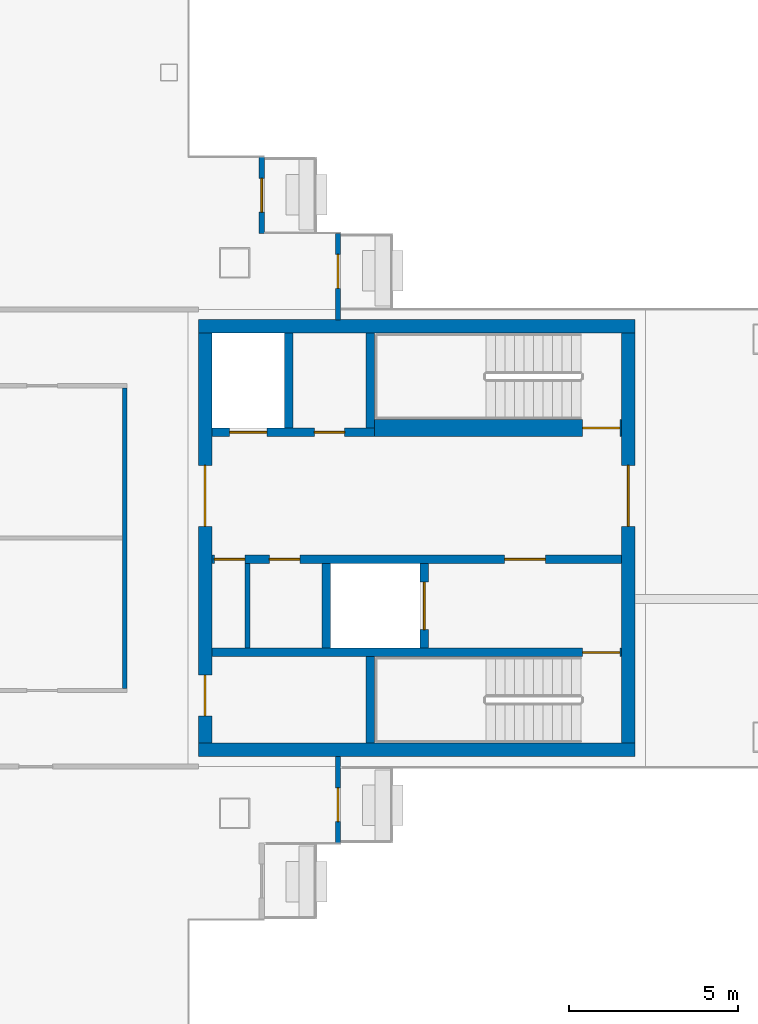
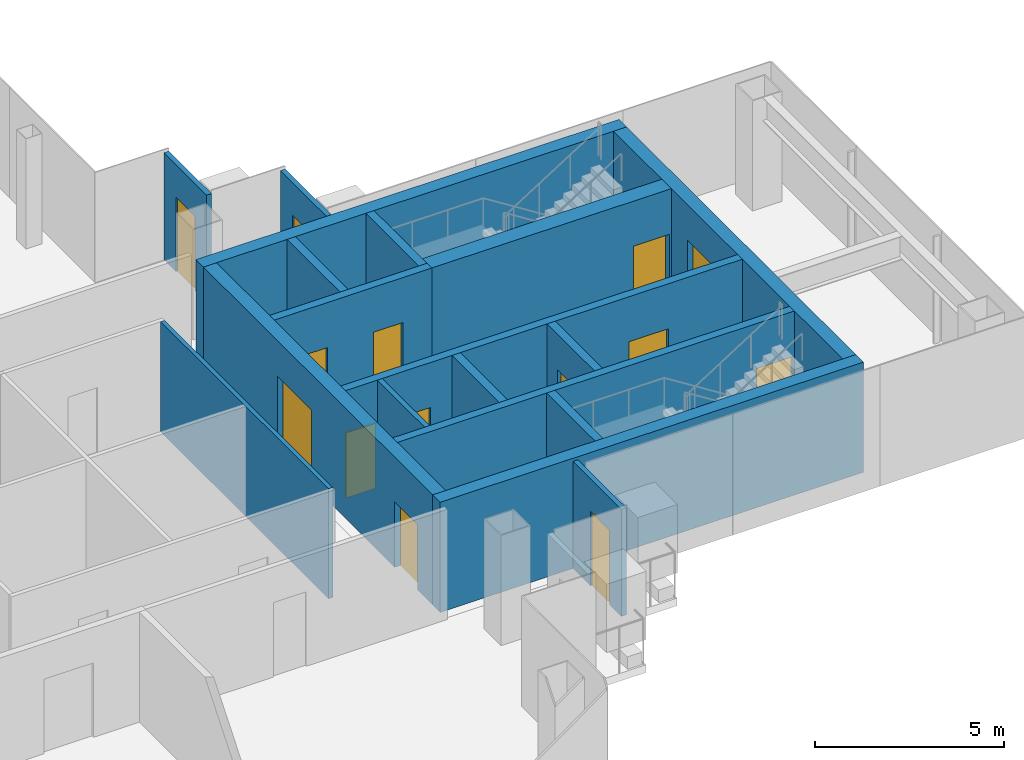
# One storey, part 12 of 17: 18 walls, 14 doors, 14 openings.
"""IFC4 building model written with IfcOpenShell, lengths in metres."""

from ifc_helpers import new_model, si_unit, direction, frame, frame_2d, origin, place, context, subcontext, project, spatial, rectangle, extrude, material, layer, layer_set, type_object, element, fill, save


model = new_model("IFC4")

# Units and contexts
model_context = context("Model", 3, precision=1e-05, world=origin(), true_north=direction((0.0, 1.0)))
body_context = subcontext(model_context, "Body", "Model", "MODEL_VIEW")
ifc_project = project(units=[si_unit("LENGTHUNIT", "METRE"), si_unit("AREAUNIT", "SQUARE_METRE"), si_unit("VOLUMEUNIT", "CUBIC_METRE"), si_unit("PLANEANGLEUNIT", "RADIAN"), si_unit("MASSUNIT", "GRAM", prefix="KILO")], contexts=[model_context])

# Site, building, storey
site_placement = place(None, origin())
site = spatial("IfcSite", under=ifc_project, at=site_placement, CompositionType="ELEMENT")
building_placement = place(site_placement, origin())
building = spatial("IfcBuilding", under=site, at=building_placement, Name="Shamsa Quay Exchange Towers", CompositionType="ELEMENT")
storey_placement = place(building_placement, frame((0.0, 0.0, 257.699951171875)))
storey = spatial("IfcBuildingStorey", under=building, at=storey_placement, Name="L62", CompositionType="ELEMENT", Elevation=257.699951171875)

# Wall, opening, door
ifc_material_1 = material(Name="Aluminium EN AW-6063 T6, black anodised, with black enamelled glass infill", Category="aluminium")
ifc_layer_1 = layer(ifc_material_1, 0.14990234375)
ifc_layer_set_1 = layer_set([ifc_layer_1], Name="BALCONY DOOR BAY WALL 150")
wall_type_1 = type_object("IfcWallType", Name="BALCONY DOOR BAY WALL 150", PredefinedType="SOLIDWALL", material=ifc_layer_set_1)
wall_1_placement = place(storey_placement, frame((42.675048828125, 11.25, 0.0), z_axis=(0.0, 0.0, 1.0), x_axis=(0.0, -1.0, 0.0)))
wall_1 = element("IfcWall", 1, at=wall_1_placement, inside=storey, type_object=wall_type_1, Name="Door bay T2-PKES L62", PredefinedType="SOLIDWALL", context=body_context, shape_type="SweptSolid", body=[
    extrude(rectangle(XDim=2.25, YDim=0.14990234375, at=frame_2d((1.125, 0.0))), origin(), (0.0, 0.0, 1.0), 3.449951171875),
])
opening_1_placement = place(wall_1_placement, frame((0.625, 0.0, 0.0)))
opening_1 = element("IfcOpeningElement", 2, at=opening_1_placement, cuts=wall_1, Name="Opening XD419", PredefinedType="OPENING", context=body_context, shape_type="SweptSolid", body=[
    extrude(rectangle(XDim=1.0, YDim=2.39990234375, at=frame_2d((0.5, 1.199951171875))), frame((0.0, 0.0849609375, 0.0), z_axis=(0.0, -1.0, 0.0), x_axis=(1.0, 0.0, 0.0)), (0.0, 0.0, 1.0), 0.169921875),
])
ifc_material_2 = material(Name="Aluminium EN AW-6063 T6, black anodised, with laminated glass leaf", Category="aluminium")
door_type_1 = type_object("IfcDoorType", Name="BALCONY DOOR 1000x2400", OperationType="SINGLE_SWING_LEFT", PredefinedType="DOOR", material=ifc_material_2)
door_1_placement = place(opening_1_placement, origin())
door_1 = element("IfcDoor", 3, at=door_1_placement, inside=storey, type_object=door_type_1, Name="Balcony door T2-PKES L62", OperationType="SINGLE_SWING_RIGHT", OverallHeight=2.39990234375, OverallWidth=1.0, PredefinedType="DOOR", context=body_context, shape_type="SweptSolid", body=[
    extrude(rectangle(XDim=1.0, YDim=2.39990234375, at=frame_2d((0.5, 1.199951171875))), frame((0.0, 0.02490234375, 0.0), z_axis=(0.0, -1.0, 0.0), x_axis=(1.0, 0.0, 0.0)), (0.0, 0.0, 1.0), 0.050048828125),
])
fill(opening_1, door_1)

wall_2_placement = place(storey_placement, frame((44.925048828125, 9.0, 0.0), z_axis=(0.0, 0.0, 1.0), x_axis=(0.0, -1.0, 0.0)))
wall_2 = element("IfcWall", 4, at=wall_2_placement, inside=storey, type_object=wall_type_1, Name="Door bay T2-PKES L62", PredefinedType="SOLIDWALL", context=body_context, shape_type="SweptSolid", body=[
    extrude(rectangle(XDim=2.556884765625, YDim=0.14990234375, at=frame_2d((1.2783203125, 0.0))), origin(), (0.0, 0.0, 1.0), 3.449951171875),
])
opening_2_placement = place(wall_2_placement, frame((0.625, 0.0, 0.0)))
opening_2 = element("IfcOpeningElement", 5, at=opening_2_placement, cuts=wall_2, Name="Opening XD420", PredefinedType="OPENING", context=body_context, shape_type="SweptSolid", body=[
    extrude(rectangle(XDim=1.0, YDim=2.39990234375, at=frame_2d((0.5, 1.199951171875))), frame((0.0, 0.0849609375, 0.0), z_axis=(0.0, -1.0, 0.0), x_axis=(1.0, 0.0, 0.0)), (0.0, 0.0, 1.0), 0.169921875),
])
door_2_placement = place(opening_2_placement, origin())
door_2 = element("IfcDoor", 6, at=door_2_placement, inside=storey, type_object=door_type_1, Name="Balcony door T2-PKES L62", OperationType="SINGLE_SWING_LEFT", OverallHeight=2.39990234375, OverallWidth=1.0, PredefinedType="DOOR", context=body_context, shape_type="SweptSolid", body=[
    extrude(rectangle(XDim=1.0, YDim=2.39990234375, at=frame_2d((0.5, 1.199951171875))), frame((0.0, 0.02490234375, 0.0), z_axis=(0.0, -1.0, 0.0), x_axis=(1.0, 0.0, 0.0)), (0.0, 0.0, 1.0), 0.050048828125),
])
fill(opening_2, door_2)

wall_3_placement = place(storey_placement, frame((44.925048828125, -6.447998046875, 0.0), z_axis=(0.0, 0.0, 1.0), x_axis=(0.0, -1.0, 0.0)))
wall_3 = element("IfcWall", 7, at=wall_3_placement, inside=storey, type_object=wall_type_1, Name="Door bay T2-PKWS L62", PredefinedType="SOLIDWALL", context=body_context, shape_type="SweptSolid", body=[
    extrude(rectangle(XDim=2.552001953125, YDim=0.14990234375, at=frame_2d((1.27587890625, 0.0))), origin(), (0.0, 0.0, 1.0), 3.449951171875),
])
opening_3_placement = place(wall_3_placement, frame((0.927001953125, 0.0, 0.0)))
opening_3 = element("IfcOpeningElement", 8, at=opening_3_placement, cuts=wall_3, Name="Opening XD424", PredefinedType="OPENING", context=body_context, shape_type="SweptSolid", body=[
    extrude(rectangle(XDim=1.0, YDim=2.39990234375, at=frame_2d((0.5, 1.199951171875))), frame((0.0, 0.0849609375, 0.0), z_axis=(0.0, -1.0, 0.0), x_axis=(1.0, 0.0, 0.0)), (0.0, 0.0, 1.0), 0.169921875),
])
door_3_placement = place(opening_3_placement, origin())
door_3 = element("IfcDoor", 9, at=door_3_placement, inside=storey, type_object=door_type_1, Name="Balcony door T2-PKWS L62", OperationType="SINGLE_SWING_RIGHT", OverallHeight=2.39990234375, OverallWidth=1.0, PredefinedType="DOOR", context=body_context, shape_type="SweptSolid", body=[
    extrude(rectangle(XDim=1.0, YDim=2.39990234375, at=frame_2d((0.5, 1.199951171875))), frame((0.0, 0.02490234375, 0.0), z_axis=(0.0, -1.0, 0.0), x_axis=(1.0, 0.0, 0.0)), (0.0, 0.0, 1.0), 0.050048828125),
])
fill(opening_3, door_3)

# Walls
ifc_material_3 = material(Name="Concrete C60/75", Category="concrete")
ifc_layer_2 = layer(ifc_material_3, 0.39990234375)
ifc_layer_set_2 = layer_set([ifc_layer_2], Name="CORE WALL 400 C60/75")
wall_type_2 = type_object("IfcWallType", Name="CORE WALL 400 C60/75", PredefinedType="SHEAR", material=ifc_layer_set_2)
for number, where, z_axis, x_axis, name in (
    (10, (53.699951171875, -6.25, 0.0), (0.0, 0.0, 1.0), (-1.0, 0.0, 0.0), "Core wall T2B-R28-PS"),
    (11, (53.699951171875, 6.25, 0.0), (0.0, 0.0, 1.0), (-1.0, 0.0, 0.0), "Core wall T2B-R28-PN"),
):
    element("IfcWall", number, at=place(storey_placement, frame(where, z_axis=z_axis, x_axis=x_axis)), inside=storey, type_object=wall_type_2, Name=name, PredefinedType="SHEAR", context=body_context, shape_type="SweptSolid", body=[
        extrude(rectangle(XDim=12.89990234375, YDim=0.39990234375, at=frame_2d((6.449951171875, 0.0))), origin(), (0.0, 0.0, 1.0), 3.550048828125),
    ])

# Wall, opening, door
wall_4_placement = place(storey_placement, frame((53.5, -6.050048828125, 0.0), z_axis=(0.0, 0.0, 1.0), x_axis=(0.0, 1.0, 0.0)))
wall_4 = element("IfcWall", 12, at=wall_4_placement, inside=storey, type_object=wall_type_2, Name="Core wall T2B-R28-PF", PredefinedType="SHEAR", context=body_context, shape_type="SweptSolid", body=[
    extrude(rectangle(XDim=12.10009765625, YDim=0.39990234375, at=frame_2d((6.050048828125, 0.0))), origin(), (0.0, 0.0, 1.0), 3.550048828125),
])
opening_4_placement = place(wall_4_placement, frame((6.39990234375, 0.0, 0.0)))
opening_4 = element("IfcOpeningElement", 13, at=opening_4_placement, cuts=wall_4, Name="Opening T2B-R28-LBD01", PredefinedType="OPENING", context=body_context, shape_type="SweptSolid", body=[
    extrude(rectangle(XDim=1.800048828125, YDim=2.39990234375, at=frame_2d((0.89990234375, 1.199951171875))), frame((0.0, 0.2099609375, 0.0), z_axis=(0.0, -1.0, 0.0), x_axis=(1.0, 0.0, 0.0)), (0.0, 0.0, 1.0), 0.419921875),
])
ifc_material_4 = material(Name="Steel, fire rated", Category="steel")
door_type_2 = type_object("IfcDoorType", Name="LIFT LOBBY DOOR PAIR 1800", OperationType="DOUBLE_DOOR_SINGLE_SWING", PredefinedType="DOOR", material=ifc_material_4)
door_4_placement = place(opening_4_placement, origin())
door_4 = element("IfcDoor", 14, at=door_4_placement, inside=storey, type_object=door_type_2, Name="T2B-R28-LBD01", OperationType="DOUBLE_DOOR_SINGLE_SWING", OverallHeight=2.39990234375, OverallWidth=1.800048828125, PredefinedType="DOOR", context=body_context, shape_type="SweptSolid", body=[
    extrude(rectangle(XDim=1.800048828125, YDim=2.39990234375, at=frame_2d((0.89990234375, 1.199951171875))), frame((0.0, 0.02490234375, 0.0), z_axis=(0.0, -1.0, 0.0), x_axis=(1.0, 0.0, 0.0)), (0.0, 0.0, 1.0), 0.050048828125),
])
fill(opening_4, door_4)

# Wall, openings, doors
wall_5_placement = place(storey_placement, frame((41.0, -6.050048828125, 0.0), z_axis=(0.0, 0.0, 1.0), x_axis=(0.0, 1.0, 0.0)))
wall_5 = element("IfcWall", 15, at=wall_5_placement, inside=storey, type_object=wall_type_2, Name="Core wall T2B-R28-PB", PredefinedType="SHEAR", context=body_context, shape_type="SweptSolid", body=[
    extrude(rectangle(XDim=12.10009765625, YDim=0.39990234375, at=frame_2d((6.050048828125, 0.0))), origin(), (0.0, 0.0, 1.0), 3.550048828125),
])
opening_5_placement = place(wall_5_placement, frame((0.800048828125, 0.0, 0.0)))
opening_5 = element("IfcOpeningElement", 16, at=opening_5_placement, cuts=wall_5, Name="Opening T2B-R28-RD02", PredefinedType="OPENING", context=body_context, shape_type="SweptSolid", body=[
    extrude(rectangle(XDim=1.199951171875, YDim=2.10009765625, at=frame_2d((0.60009765625, 1.050048828125))), frame((0.0, 0.2099609375, 0.0), z_axis=(0.0, -1.0, 0.0), x_axis=(1.0, 0.0, 0.0)), (0.0, 0.0, 1.0), 0.419921875),
])
opening_6_placement = place(wall_5_placement, frame((6.39990234375, 0.0, 0.0)))
opening_6 = element("IfcOpeningElement", 17, at=opening_6_placement, cuts=wall_5, Name="Opening T2B-R28-LBD03", PredefinedType="OPENING", context=body_context, shape_type="SweptSolid", body=[
    extrude(rectangle(XDim=1.800048828125, YDim=2.39990234375, at=frame_2d((0.89990234375, 1.199951171875))), frame((0.0, 0.2099609375, 0.0), z_axis=(0.0, -1.0, 0.0), x_axis=(1.0, 0.0, 0.0)), (0.0, 0.0, 1.0), 0.419921875),
])
door_5_placement = place(opening_6_placement, origin())
door_5 = element("IfcDoor", 18, at=door_5_placement, inside=storey, type_object=door_type_2, Name="T2B-R28-LBD03", OperationType="DOUBLE_DOOR_SINGLE_SWING", OverallHeight=2.39990234375, OverallWidth=1.800048828125, PredefinedType="DOOR", context=body_context, shape_type="SweptSolid", body=[
    extrude(rectangle(XDim=1.800048828125, YDim=2.39990234375, at=frame_2d((0.89990234375, 1.199951171875))), frame((0.0, 0.02490234375, 0.0), z_axis=(0.0, -1.0, 0.0), x_axis=(1.0, 0.0, 0.0)), (0.0, 0.0, 1.0), 0.050048828125),
])
fill(opening_6, door_5)
door_type_3 = type_object("IfcDoorType", Name="RISER ACCESS DOOR 1200", OperationType="SINGLE_SWING_LEFT", PredefinedType="DOOR", material=ifc_material_4)
door_6_placement = place(opening_5_placement, origin())
door_6 = element("IfcDoor", 19, at=door_6_placement, inside=storey, type_object=door_type_3, Name="T2B-R28-RD02", OperationType="SINGLE_SWING_LEFT", OverallHeight=2.10009765625, OverallWidth=1.199951171875, PredefinedType="DOOR", context=body_context, shape_type="SweptSolid", body=[
    extrude(rectangle(XDim=1.199951171875, YDim=2.10009765625, at=frame_2d((0.60009765625, 1.050048828125))), frame((0.0, 0.02490234375, 0.0), z_axis=(0.0, -1.0, 0.0), x_axis=(1.0, 0.0, 0.0)), (0.0, 0.0, 1.0), 0.050048828125),
])
fill(opening_5, door_6)

# Walls
ifc_material_5 = material(Name="Gypsum board on steel studs, EI 60", Category="steel")
ifc_layer_3 = layer(ifc_material_5, 0.14990234375)
ifc_layer_set_3 = layer_set([ifc_layer_3], Name="FIRE PARTITION 150")
wall_type_3 = type_object("IfcWallType", Name="FIRE PARTITION 150", PredefinedType="PARTITIONING", material=ifc_layer_set_3)
wall_6_placement = place(storey_placement, frame((42.25, -3.25, 0.0), z_axis=(0.0, 0.0, 1.0), x_axis=(0.0, 1.0, 0.0)))
element("IfcWall", 20, at=wall_6_placement, inside=storey, type_object=wall_type_3, Name="Partition T2B-R28-EC0", PredefinedType="PARTITIONING", context=body_context, shape_type="SweptSolid", body=[
    extrude(rectangle(XDim=2.5, YDim=0.14990234375, at=frame_2d((1.25, 0.0))), origin(), (0.0, 0.0, 1.0), 3.550048828125),
])
ifc_material_6 = material(Name="Laminated fire-resisting glass in a metal frame", Category="glass")
ifc_layer_4 = layer(ifc_material_6, 0.125)
ifc_layer_set_4 = layer_set([ifc_layer_4], Name="Glazed partition 125 mm EI 60")
wall_type_4 = type_object("IfcWallType", Name="Glazed partition 125 mm EI 60", PredefinedType="PARTITIONING", material=ifc_layer_set_4)
wall_7_placement = place(storey_placement, frame((38.625, -4.4375, 0.0), z_axis=(0.0, 0.0, 1.0), x_axis=(0.0, 1.0, 0.0)))
element("IfcWall", 21, at=wall_7_placement, inside=storey, type_object=wall_type_4, Name="Partition T2-R28-W05", PredefinedType="PARTITIONING", context=body_context, shape_type="SweptSolid", body=[
    extrude(rectangle(XDim=8.875, YDim=0.125, at=frame_2d((4.4375, 0.0))), origin(), (0.0, 0.0, 1.0), 3.550048828125),
])

# Wall, opening, door
ifc_material_7 = material(Name="Concrete C50/60", Category="concrete")
ifc_layer_5 = layer(ifc_material_7, 0.25)
ifc_layer_set_5 = layer_set([ifc_layer_5], Name="SHAFT WALL 250 C50/60")
wall_type_5 = type_object("IfcWallType", Name="SHAFT WALL 250 C50/60", PredefinedType="SHEAR", material=ifc_layer_set_5)
wall_8_placement = place(storey_placement, frame((53.300048828125, -3.375, 0.0), z_axis=(0.0, 0.0, 1.0), x_axis=(-1.0, 0.0, 0.0)))
wall_8 = element("IfcWall", 22, at=wall_8_placement, inside=storey, type_object=wall_type_5, Name="Shaft wall T2B-R28-STL", PredefinedType="SHEAR", context=body_context, shape_type="SweptSolid", body=[
    extrude(rectangle(XDim=12.10009765625, YDim=0.25, at=frame_2d((6.050048828125, 0.0))), origin(), (0.0, 0.0, 1.0), 3.550048828125),
])
opening_7_placement = place(wall_8_placement, frame((0.050048828125, 0.0, 0.0)))
opening_7 = element("IfcOpeningElement", 23, at=opening_7_placement, cuts=wall_8, Name="Opening T2B-R28-SD04", PredefinedType="OPENING", context=body_context, shape_type="SweptSolid", body=[
    extrude(rectangle(XDim=1.10009765625, YDim=2.10009765625, at=frame_2d((0.550048828125, 1.050048828125))), frame((0.0, 0.135009765625, 0.0), z_axis=(0.0, -1.0, 0.0), x_axis=(1.0, 0.0, 0.0)), (0.0, 0.0, 1.0), 0.27001953125),
])
door_type_4 = type_object("IfcDoorType", Name="STAIR DOOR 1100", OperationType="SINGLE_SWING_LEFT", PredefinedType="DOOR", material=ifc_material_4)
door_7_placement = place(opening_7_placement, origin())
door_7 = element("IfcDoor", 24, at=door_7_placement, inside=storey, type_object=door_type_4, Name="T2B-R28-SD04", OperationType="SINGLE_SWING_LEFT", OverallHeight=2.10009765625, OverallWidth=1.10009765625, PredefinedType="DOOR", context=body_context, shape_type="SweptSolid", body=[
    extrude(rectangle(XDim=1.10009765625, YDim=2.10009765625, at=frame_2d((0.550048828125, 1.050048828125))), frame((0.0, 0.02490234375, 0.0), z_axis=(0.0, -1.0, 0.0), x_axis=(1.0, 0.0, 0.0)), (0.0, 0.0, 1.0), 0.050048828125),
])
fill(opening_7, door_7)

# Wall
wall_9_placement = place(storey_placement, frame((45.875, -6.050048828125, 0.0), z_axis=(0.0, 0.0, 1.0), x_axis=(0.0, 1.0, 0.0)))
element("IfcWall", 25, at=wall_9_placement, inside=storey, type_object=wall_type_5, Name="Shaft wall T2B-R28-STF", PredefinedType="SHEAR", context=body_context, shape_type="SweptSolid", body=[
    extrude(rectangle(XDim=2.550048828125, YDim=0.25, at=frame_2d((1.27490234375, 0.0))), origin(), (0.0, 0.0, 1.0), 3.550048828125),
])

# Wall, openings, doors
wall_10_placement = place(storey_placement, frame((53.300048828125, -0.625, 0.0), z_axis=(0.0, 0.0, 1.0), x_axis=(-1.0, 0.0, 0.0)))
wall_10 = element("IfcWall", 26, at=wall_10_placement, inside=storey, type_object=wall_type_5, Name="Shaft wall T2B-R28-B", PredefinedType="SHEAR", context=body_context, shape_type="SweptSolid", body=[
    extrude(rectangle(XDim=12.10009765625, YDim=0.25, at=frame_2d((6.050048828125, 0.0))), origin(), (0.0, 0.0, 1.0), 3.550048828125),
])
opening_8_placement = place(wall_10_placement, frame((2.25, 0.0, 0.0)))
opening_8 = element("IfcOpeningElement", 27, at=opening_8_placement, cuts=wall_10, Name="Opening T2B-R28-FD05", PredefinedType="OPENING", context=body_context, shape_type="SweptSolid", body=[
    extrude(rectangle(XDim=1.199951171875, YDim=2.10009765625, at=frame_2d((0.60009765625, 1.050048828125))), frame((0.0, 0.135009765625, 0.0), z_axis=(0.0, -1.0, 0.0), x_axis=(1.0, 0.0, 0.0)), (0.0, 0.0, 1.0), 0.27001953125),
])
opening_9_placement = place(wall_10_placement, frame((9.5, 0.0, 0.0)))
opening_9 = element("IfcOpeningElement", 28, at=opening_9_placement, cuts=wall_10, Name="Opening T2B-R28-SV06", PredefinedType="OPENING", context=body_context, shape_type="SweptSolid", body=[
    extrude(rectangle(XDim=0.89990234375, YDim=2.10009765625, at=frame_2d((0.449951171875, 1.050048828125))), frame((0.0, 0.135009765625, 0.0), z_axis=(0.0, -1.0, 0.0), x_axis=(1.0, 0.0, 0.0)), (0.0, 0.0, 1.0), 0.27001953125),
])
opening_10_placement = place(wall_10_placement, frame((11.125, 0.0, 0.0)))
opening_10 = element("IfcOpeningElement", 29, at=opening_10_placement, cuts=wall_10, Name="Opening T2B-R28-SV07", PredefinedType="OPENING", context=body_context, shape_type="SweptSolid", body=[
    extrude(rectangle(XDim=0.89990234375, YDim=2.10009765625, at=frame_2d((0.449951171875, 1.050048828125))), frame((0.0, 0.135009765625, 0.0), z_axis=(0.0, -1.0, 0.0), x_axis=(1.0, 0.0, 0.0)), (0.0, 0.0, 1.0), 0.27001953125),
])
door_type_5 = type_object("IfcDoorType", Name="FIRE SERVICE LOBBY DOOR 1200", OperationType="SINGLE_SWING_LEFT", PredefinedType="DOOR", material=ifc_material_4)
door_8_placement = place(opening_8_placement, origin())
door_8 = element("IfcDoor", 30, at=door_8_placement, inside=storey, type_object=door_type_5, Name="T2B-R28-FD05", OperationType="SINGLE_SWING_LEFT", OverallHeight=2.10009765625, OverallWidth=1.199951171875, PredefinedType="DOOR", context=body_context, shape_type="SweptSolid", body=[
    extrude(rectangle(XDim=1.199951171875, YDim=2.10009765625, at=frame_2d((0.60009765625, 1.050048828125))), frame((0.0, 0.02490234375, 0.0), z_axis=(0.0, -1.0, 0.0), x_axis=(1.0, 0.0, 0.0)), (0.0, 0.0, 1.0), 0.050048828125),
])
fill(opening_8, door_8)
door_type_6 = type_object("IfcDoorType", Name="SERVICE ROOM DOOR 900", OperationType="SINGLE_SWING_LEFT", PredefinedType="DOOR", material=ifc_material_4)
door_9_placement = place(opening_9_placement, origin())
door_9 = element("IfcDoor", 31, at=door_9_placement, inside=storey, type_object=door_type_6, Name="T2B-R28-SV06", OperationType="SINGLE_SWING_RIGHT", OverallHeight=2.10009765625, OverallWidth=0.89990234375, PredefinedType="DOOR", context=body_context, shape_type="SweptSolid", body=[
    extrude(rectangle(XDim=0.89990234375, YDim=2.10009765625, at=frame_2d((0.449951171875, 1.050048828125))), frame((0.0, 0.02490234375, 0.0), z_axis=(0.0, -1.0, 0.0), x_axis=(1.0, 0.0, 0.0)), (0.0, 0.0, 1.0), 0.050048828125),
])
fill(opening_9, door_9)
door_10_placement = place(opening_10_placement, origin())
door_10 = element("IfcDoor", 32, at=door_10_placement, inside=storey, type_object=door_type_6, Name="T2B-R28-SV07", OperationType="SINGLE_SWING_RIGHT", OverallHeight=2.10009765625, OverallWidth=0.89990234375, PredefinedType="DOOR", context=body_context, shape_type="SweptSolid", body=[
    extrude(rectangle(XDim=0.89990234375, YDim=2.10009765625, at=frame_2d((0.449951171875, 1.050048828125))), frame((0.0, 0.02490234375, 0.0), z_axis=(0.0, -1.0, 0.0), x_axis=(1.0, 0.0, 0.0)), (0.0, 0.0, 1.0), 0.050048828125),
])
fill(opening_10, door_10)

# Wall, opening, door
wall_11_placement = place(storey_placement, frame((47.47509765625, -3.25, 0.0), z_axis=(0.0, 0.0, 1.0), x_axis=(0.0, 1.0, 0.0)))
wall_11 = element("IfcWall", 33, at=wall_11_placement, inside=storey, type_object=wall_type_5, Name="Shaft wall T2B-R28-FFF", PredefinedType="SHEAR", context=body_context, shape_type="SweptSolid", body=[
    extrude(rectangle(XDim=2.5, YDim=0.25, at=frame_2d((1.25, 0.0))), origin(), (0.0, 0.0, 1.0), 3.550048828125),
])
opening_11_placement = place(wall_11_placement, frame((0.550048828125, 0.0, 0.0)))
opening_11 = element("IfcOpeningElement", 34, at=opening_11_placement, cuts=wall_11, Name="Opening T2B-R28-LDG08", PredefinedType="OPENING", context=body_context, shape_type="SweptSolid", body=[
    extrude(rectangle(XDim=1.39990234375, YDim=2.39990234375, at=frame_2d((0.699951171875, 1.199951171875))), frame((0.0, 0.135009765625, 0.0), z_axis=(0.0, -1.0, 0.0), x_axis=(1.0, 0.0, 0.0)), (0.0, 0.0, 1.0), 0.27001953125),
])
door_type_7 = type_object("IfcDoorType", Name="GOODS LIFT LANDING DOOR 1400", OperationType="SLIDING_TO_LEFT", PredefinedType="DOOR", material=ifc_material_4)
door_11_placement = place(opening_11_placement, origin())
door_11 = element("IfcDoor", 35, at=door_11_placement, inside=storey, type_object=door_type_7, Name="T2B-R28-LDG08", OperationType="SLIDING_TO_LEFT", OverallHeight=2.39990234375, OverallWidth=1.39990234375, PredefinedType="DOOR", context=body_context, shape_type="SweptSolid", body=[
    extrude(rectangle(XDim=1.39990234375, YDim=2.39990234375, at=frame_2d((0.699951171875, 1.199951171875))), frame((0.0, 0.02490234375, 0.0), z_axis=(0.0, -1.0, 0.0), x_axis=(1.0, 0.0, 0.0)), (0.0, 0.0, 1.0), 0.050048828125),
])
fill(opening_11, door_11)

# Wall
wall_12_placement = place(storey_placement, frame((44.574951171875, -3.25, 0.0), z_axis=(0.0, 0.0, 1.0), x_axis=(0.0, 1.0, 0.0)))
element("IfcWall", 36, at=wall_12_placement, inside=storey, type_object=wall_type_5, Name="Shaft wall T2B-R28-FFB", PredefinedType="SHEAR", context=body_context, shape_type="SweptSolid", body=[
    extrude(rectangle(XDim=2.5, YDim=0.25, at=frame_2d((1.25, 0.0))), origin(), (0.0, 0.0, 1.0), 3.550048828125),
])

# Wall, openings, doors
wall_13_placement = place(storey_placement, frame((41.199951171875, 3.125, 0.0)))
wall_13 = element("IfcWall", 37, at=wall_13_placement, inside=storey, type_object=wall_type_5, Name="Shaft wall T2B-R28-N2", PredefinedType="SHEAR", context=body_context, shape_type="SweptSolid", body=[
    extrude(rectangle(XDim=4.800048828125, YDim=0.25, at=frame_2d((2.39990234375, 0.0))), origin(), (0.0, 0.0, 1.0), 3.550048828125),
])
opening_12_placement = place(wall_13_placement, frame((0.52490234375, 0.0, 0.0)))
opening_12 = element("IfcOpeningElement", 38, at=opening_12_placement, cuts=wall_13, Name="Opening T2B-R28-LD10", PredefinedType="OPENING", context=body_context, shape_type="SweptSolid", body=[
    extrude(rectangle(XDim=1.10009765625, YDim=2.10009765625, at=frame_2d((0.550048828125, 1.050048828125))), frame((0.0, 0.135009765625, 0.0), z_axis=(0.0, -1.0, 0.0), x_axis=(1.0, 0.0, 0.0)), (0.0, 0.0, 1.0), 0.27001953125),
])
opening_13_placement = place(wall_13_placement, frame((3.02490234375, 0.0, 0.0)))
opening_13 = element("IfcOpeningElement", 39, at=opening_13_placement, cuts=wall_13, Name="Opening T2B-R28-SV11", PredefinedType="OPENING", context=body_context, shape_type="SweptSolid", body=[
    extrude(rectangle(XDim=0.89990234375, YDim=2.10009765625, at=frame_2d((0.449951171875, 1.050048828125))), frame((0.0, 0.135009765625, 0.0), z_axis=(0.0, -1.0, 0.0), x_axis=(1.0, 0.0, 0.0)), (0.0, 0.0, 1.0), 0.27001953125),
])
door_type_8 = type_object("IfcDoorType", Name="LANDING DOOR 1100", OperationType="SLIDING_TO_LEFT", PredefinedType="DOOR", material=ifc_material_4)
door_12_placement = place(opening_12_placement, origin())
door_12 = element("IfcDoor", 40, at=door_12_placement, inside=storey, type_object=door_type_8, Name="T2B-R28-LD10", OperationType="SLIDING_TO_LEFT", OverallHeight=2.10009765625, OverallWidth=1.10009765625, PredefinedType="DOOR", context=body_context, shape_type="SweptSolid", body=[
    extrude(rectangle(XDim=1.10009765625, YDim=2.10009765625, at=frame_2d((0.550048828125, 1.050048828125))), frame((0.0, 0.02490234375, 0.0), z_axis=(0.0, -1.0, 0.0), x_axis=(1.0, 0.0, 0.0)), (0.0, 0.0, 1.0), 0.050048828125),
])
fill(opening_12, door_12)
door_13_placement = place(opening_13_placement, origin())
door_13 = element("IfcDoor", 41, at=door_13_placement, inside=storey, type_object=door_type_6, Name="T2B-R28-SV11", OperationType="SINGLE_SWING_RIGHT", OverallHeight=2.10009765625, OverallWidth=0.89990234375, PredefinedType="DOOR", context=body_context, shape_type="SweptSolid", body=[
    extrude(rectangle(XDim=0.89990234375, YDim=2.10009765625, at=frame_2d((0.449951171875, 1.050048828125))), frame((0.0, 0.02490234375, 0.0), z_axis=(0.0, -1.0, 0.0), x_axis=(1.0, 0.0, 0.0)), (0.0, 0.0, 1.0), 0.050048828125),
])
fill(opening_13, door_13)

# Walls
for number, where, z_axis, x_axis, name in (
    (42, (45.875, 3.25, 0.0), (0.0, 0.0, 1.0), (0.0, 1.0, 0.0), "Shaft wall T2B-R28-STF2"),
    (43, (43.47509765625, 3.25, 0.0), (0.0, 0.0, 1.0), (0.0, 1.0, 0.0), "Shaft wall T2B-R28-D0"),
):
    element("IfcWall", number, at=place(storey_placement, frame(where, z_axis=z_axis, x_axis=x_axis)), inside=storey, type_object=wall_type_5, Name=name, PredefinedType="SHEAR", context=body_context, shape_type="SweptSolid", body=[
        extrude(rectangle(XDim=2.800048828125, YDim=0.25, at=frame_2d((1.39990234375, 0.0))), origin(), (0.0, 0.0, 1.0), 3.550048828125),
    ])

# Wall, opening, door
ifc_layer_6 = layer(ifc_material_7, 0.5)
ifc_layer_set_6 = layer_set([ifc_layer_6], Name="SHAFT WALL 500 C50/60")
wall_type_6 = type_object("IfcWallType", Name="SHAFT WALL 500 C50/60", PredefinedType="SHEAR", material=ifc_layer_set_6)
wall_14_placement = place(storey_placement, frame((46.0, 3.25, 0.0)))
wall_14 = element("IfcWall", 44, at=wall_14_placement, inside=storey, type_object=wall_type_6, Name="Shaft wall T2B-R28-N", PredefinedType="SHEAR", context=body_context, shape_type="SweptSolid", body=[
    extrude(rectangle(XDim=7.300048828125, YDim=0.5, at=frame_2d((3.64990234375, 0.0))), origin(), (0.0, 0.0, 1.0), 3.550048828125),
])
opening_14_placement = place(wall_14_placement, frame((6.14990234375, 0.0, 0.0)))
opening_14 = element("IfcOpeningElement", 45, at=opening_14_placement, cuts=wall_14, Name="Opening T2B-R28-SD09", PredefinedType="OPENING", context=body_context, shape_type="SweptSolid", body=[
    extrude(rectangle(XDim=1.10009765625, YDim=2.10009765625, at=frame_2d((0.550048828125, 1.050048828125))), frame((0.0, 0.260009765625, 0.0), z_axis=(0.0, -1.0, 0.0), x_axis=(1.0, 0.0, 0.0)), (0.0, 0.0, 1.0), 0.52001953125),
])
door_14_placement = place(opening_14_placement, origin())
door_14 = element("IfcDoor", 46, at=door_14_placement, inside=storey, type_object=door_type_4, Name="T2B-R28-SD09", OperationType="SINGLE_SWING_RIGHT", OverallHeight=2.10009765625, OverallWidth=1.10009765625, PredefinedType="DOOR", context=body_context, shape_type="SweptSolid", body=[
    extrude(rectangle(XDim=1.10009765625, YDim=2.10009765625, at=frame_2d((0.550048828125, 1.050048828125))), frame((0.0, 0.02490234375, 0.0), z_axis=(0.0, -1.0, 0.0), x_axis=(1.0, 0.0, 0.0)), (0.0, 0.0, 1.0), 0.050048828125),
])
fill(opening_14, door_14)

save(model, "model.ifc")
